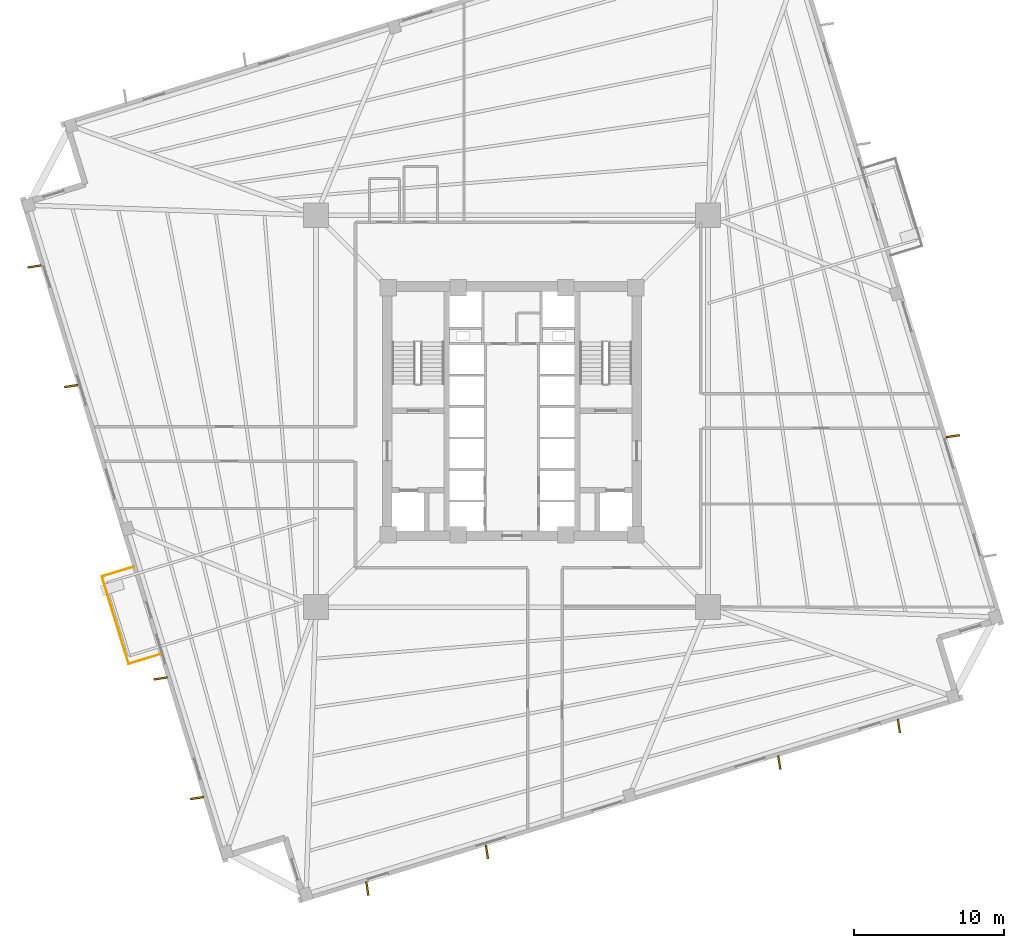
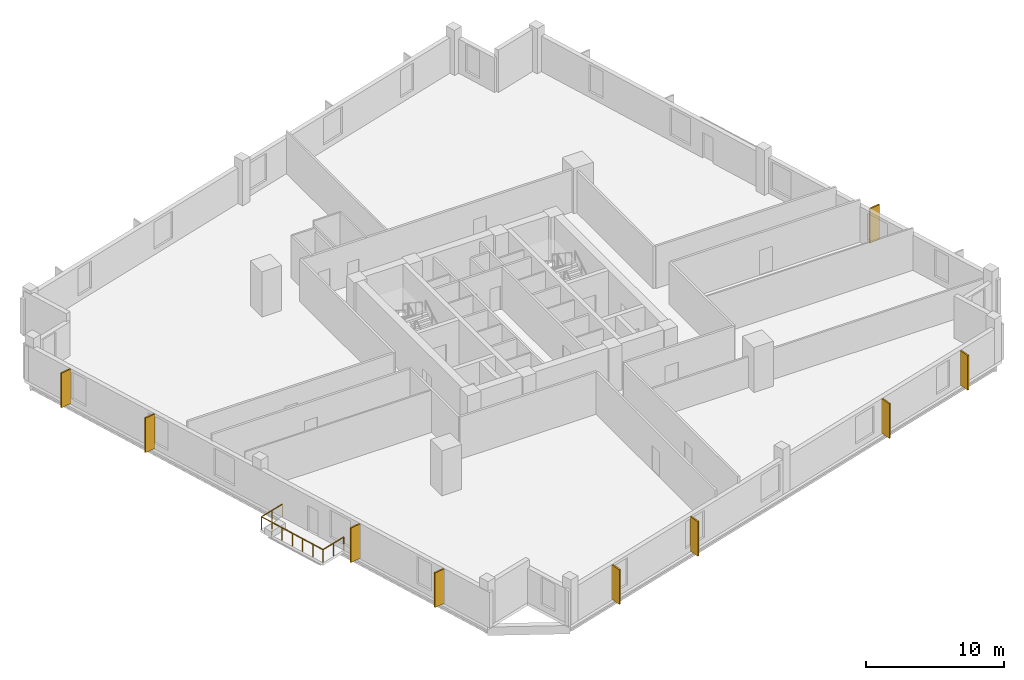
# One storey, part 7 of 9: 9 coverings, 3 railings.
"""IFC4 building model written with IfcOpenShell, lengths in metres."""

from ifc_helpers import new_model, si_unit, direction, frame, origin, origin_2d, place, context, subcontext, project, spatial, rectangle, circle, extrude, source, transform, mapped, material, layer, layer_set, type_object, element, save


model = new_model("IFC4")

# Units and contexts
model_context = context("Model", 3, precision=1e-05, world=origin(), true_north=direction((0.0, 1.0)))
body_context = subcontext(model_context, "Body", "Model", "MODEL_VIEW")
ifc_project = project(units=[si_unit("LENGTHUNIT", "METRE"), si_unit("AREAUNIT", "SQUARE_METRE"), si_unit("VOLUMEUNIT", "CUBIC_METRE"), si_unit("PLANEANGLEUNIT", "RADIAN"), si_unit("MASSUNIT", "GRAM", prefix="KILO"), si_unit("THERMODYNAMICTEMPERATUREUNIT", "KELVIN")], contexts=[model_context])

# Site, building, storey
site_placement = place(None, origin())
site = spatial("IfcSite", under=ifc_project, at=site_placement, CompositionType="ELEMENT")
building_placement = place(site_placement, origin())
building = spatial("IfcBuilding", under=site, at=building_placement, Name="Kosmvard Interchange Tower", CompositionType="ELEMENT")
storey_placement = place(building_placement, frame((0.0, 0.0, 95.199951171875)))
storey = spatial("IfcBuildingStorey", under=building, at=storey_placement, Name="L22", CompositionType="ELEMENT", Elevation=95.199951171875)

# Coverings
ifc_material_1 = material(Name="Architectural anodised aluminium", Category="aluminium")
ifc_layer = layer(ifc_material_1, 0.1201171875, Name="Architectural anodised aluminium")
ifc_layer_set = layer_set([ifc_layer], Name="Architectural anodised aluminium")
covering_type = type_object("IfcCoveringType", Name="Rotating Vertical Sun-Breaker Fin 900x120 Aluminium", PredefinedType="CLADDING", material=ifc_layer_set)
shared_shape_1 = source(origin(), body_context, "Body", "SweptSolid", [
    extrude(rectangle(XDim=0.89990234375, YDim=0.1201171875, at=origin_2d()), origin(), (0.0, 0.0, 1.0), 3.06005859375),
])
for number, where, z_axis, x_axis, name in (
    (1, (-9.6572265625, -31.865966796875, 0.0400390625), (0.0, 0.0, 1.0), (0.150570684524, -0.988599245884, 0.0), "L22 Rotating Vertical Sun-Breaker Fin 01"),
    (2, (-1.673583984375, -29.425048828125, 0.0400390625), (0.0, 0.0, 1.0), (0.150570684524, -0.988599245884, 0.0), "L22 Rotating Vertical Sun-Breaker Fin 02"),
    (3, (17.841796875, -23.45849609375, 0.0400390625), (0.0, 0.0, 1.0), (0.150570684524, -0.988599245884, 0.0), "L22 Rotating Vertical Sun-Breaker Fin 03"),
    (4, (25.825439453125, -21.017822265625, 0.0400390625), (0.0, 0.0, 1.0), (0.150570684524, -0.988599245884, 0.0), "L22 Rotating Vertical Sun-Breaker Fin 04"),
    (5, (29.425048828125, -1.673583984375, 0.0400390625), (0.0, 0.0, 1.0), (0.988599245884, 0.150570684524, 0.0), "L22 Rotating Vertical Sun-Breaker Fin 06"),
    (6, (-31.865966796875, 9.6572265625, 0.0400390625), (0.0, 0.0, 1.0), (-0.988599245884, -0.150570684524, 0.0), "L22 Rotating Vertical Sun-Breaker Fin 13"),
    (7, (-29.425048828125, 1.673583984375, 0.0400390625), (0.0, 0.0, 1.0), (-0.988599245884, -0.150570684524, 0.0), "L22 Rotating Vertical Sun-Breaker Fin 14"),
    (8, (-23.45849609375, -17.841796875, 0.0400390625), (0.0, 0.0, 1.0), (-0.988599245884, -0.150570684524, 0.0), "L22 Rotating Vertical Sun-Breaker Fin 15"),
    (9, (-21.017822265625, -25.825439453125, 0.0400390625), (0.0, 0.0, 1.0), (-0.988599245884, -0.150570684524, 0.0), "L22 Rotating Vertical Sun-Breaker Fin 16"),
):
    element("IfcCovering", number, at=place(storey_placement, frame(where, z_axis=z_axis, x_axis=x_axis)), inside=storey, type_object=covering_type, Name=name, PredefinedType="CLADDING", context=body_context, shape_type="MappedRepresentation", body=[
        mapped(shared_shape_1, transform((0.0, 0.0, 0.0), scale=1.0)),
    ])

# Railings
ifc_material_2 = material(Name="Steel S355", Category="steel")
railing_type = type_object("IfcRailingType", Name="Observation & Balcony Glass-Infill Balustrade 1150", PredefinedType="BALUSTRADE", material=ifc_material_2)
shared_shape_2 = source(origin(), body_context, "Body", "SweptSolid", [
    extrude(circle(Radius=0.02392578125, at=origin_2d()), frame((0.0, 0.0, 1.1259765625), z_axis=(0.956329170869, 0.292291835236, 0.0), x_axis=(-0.292291835236, 0.956329170869, 0.0)), (0.0, 0.0, 1.0), 2.2001953125),
    extrude(circle(Radius=0.02099609375, at=origin_2d()), origin(), (0.0, 0.0, 1.0), 1.101806640625),
    extrude(circle(Radius=0.02099609375, at=origin_2d()), frame((1.052001953125, 0.321533203125, 0.0)), (0.0, 0.0, 1.0), 1.101806640625),
    extrude(circle(Radius=0.02099609375, at=origin_2d()), frame((2.10400390625, 0.64306640625, 0.0)), (0.0, 0.0, 1.0), 1.101806640625),
])
railing_1_placement = place(storey_placement, frame((-25.58642578125, -16.86767578125, 0.0)))
element("IfcRailing", 10, at=railing_1_placement, inside=storey, type_object=railing_type, Name="L22 Outdoor Terrace Guard BAL-L22-W-C", PredefinedType="BALUSTRADE", context=body_context, shape_type="MappedRepresentation", body=[
    mapped(shared_shape_2, transform((0.0, 0.0, 0.0), scale=1.0)),
])
shared_shape_3 = source(origin(), body_context, "Body", "SweptSolid", [
    extrude(circle(Radius=0.02392578125, at=origin_2d()), frame((0.0, 0.0, 1.1259765625), z_axis=(-0.956329170869, -0.292291835236, 0.0), x_axis=(0.292291835236, -0.956329170869, 0.0)), (0.0, 0.0, 1.0), 2.2001953125),
    extrude(circle(Radius=0.02099609375, at=origin_2d()), origin(), (0.0, 0.0, 1.0), 1.101806640625),
    extrude(circle(Radius=0.02099609375, at=origin_2d()), frame((-1.052001953125, -0.321533203125, 0.0)), (0.0, 0.0, 1.0), 1.101806640625),
    extrude(circle(Radius=0.02099609375, at=origin_2d()), frame((-2.10400390625, -0.64306640625, 0.0)), (0.0, 0.0, 1.0), 1.101806640625),
])
railing_2_placement = place(storey_placement, frame((-25.265869140625, -10.39111328125, 0.0)))
element("IfcRailing", 11, at=railing_2_placement, inside=storey, type_object=railing_type, Name="L22 Outdoor Terrace Guard BAL-L22-W-A", PredefinedType="BALUSTRADE", context=body_context, shape_type="MappedRepresentation", body=[
    mapped(shared_shape_3, transform((0.0, 0.0, 0.0), scale=1.0)),
])
shared_shape_4 = source(origin(), body_context, "Body", "SweptSolid", [
    extrude(circle(Radius=0.02392578125, at=origin_2d()), frame((0.0, 0.0, 1.1259765625), z_axis=(0.292366986664, -0.956306198406, 0.0), x_axis=(0.956306198406, 0.292366986664, 0.0)), (0.0, 0.0, 1.0), 6.10009765625),
    extrude(circle(Radius=0.02099609375, at=origin_2d()), origin(), (0.0, 0.0, 1.0), 1.101806640625),
    extrude(circle(Radius=0.02099609375, at=origin_2d()), frame((0.29736328125, -0.97216796875, 0.0)), (0.0, 0.0, 1.0), 1.101806640625),
    extrude(circle(Radius=0.02099609375, at=origin_2d()), frame((0.594482421875, -1.944580078125, 0.0)), (0.0, 0.0, 1.0), 1.101806640625),
    extrude(circle(Radius=0.02099609375, at=origin_2d()), frame((0.8916015625, -2.916748046875, 0.0)), (0.0, 0.0, 1.0), 1.101806640625),
    extrude(circle(Radius=0.02099609375, at=origin_2d()), frame((1.18896484375, -3.888916015625, 0.0)), (0.0, 0.0, 1.0), 1.101806640625),
    extrude(circle(Radius=0.02099609375, at=origin_2d()), frame((1.486328125, -4.861328125, 0.0)), (0.0, 0.0, 1.0), 1.101806640625),
    extrude(circle(Radius=0.02099609375, at=origin_2d()), frame((1.783447265625, -5.83349609375, 0.0)), (0.0, 0.0, 1.0), 1.101806640625),
])
railing_3_placement = place(storey_placement, frame((-27.369873046875, -11.0341796875, 0.0)))
element("IfcRailing", 12, at=railing_3_placement, inside=storey, type_object=railing_type, Name="L22 Outdoor Terrace Guard BAL-L22-W-B", PredefinedType="BALUSTRADE", context=body_context, shape_type="MappedRepresentation", body=[
    mapped(shared_shape_4, transform((0.0, 0.0, 0.0), scale=1.0)),
])

save(model, "model.ifc")
